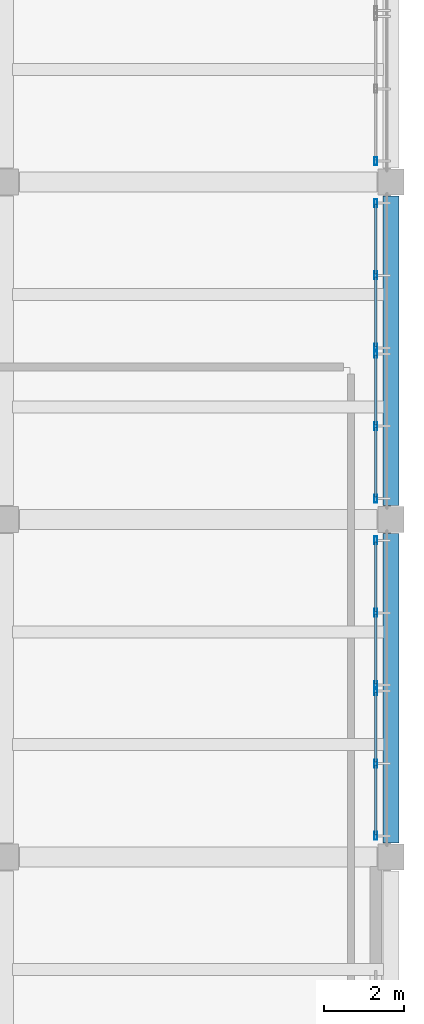
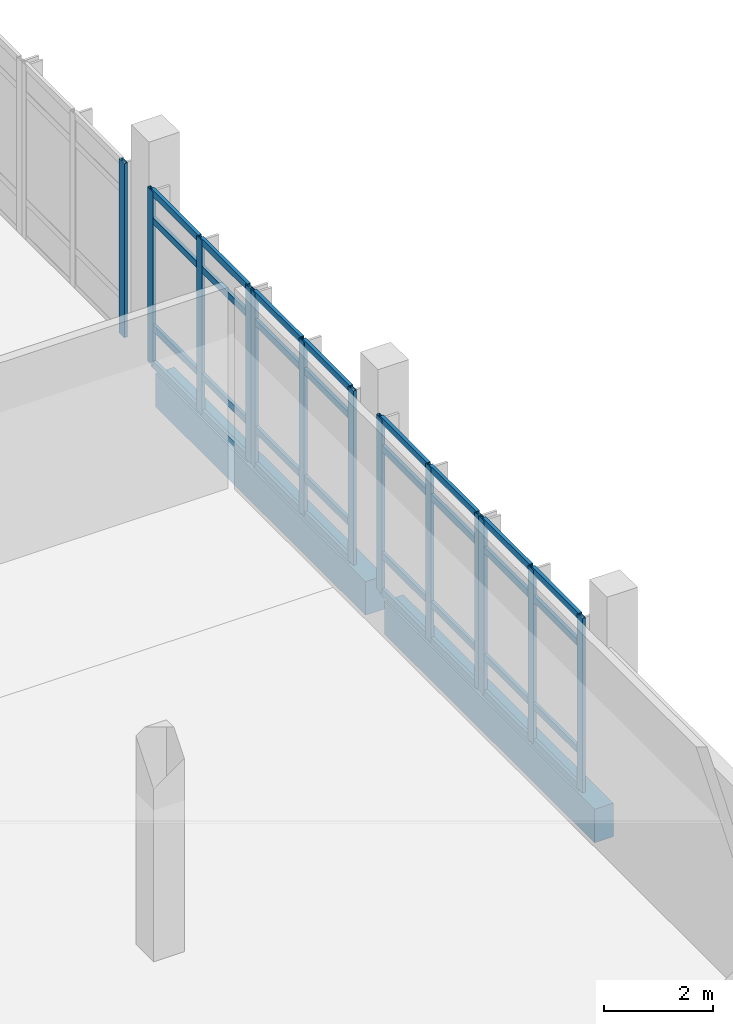
# One storey, part 21 of 63: 45 members, 2 beams, 5 elements without a shape of their own.
"""IFC4 building model written with IfcOpenShell, lengths in metres."""

from ifc_helpers import new_model, si_unit, derived_unit, direction, frame, origin, origin_2d, place, context, subcontext, project, spatial, rectangle, hollow_rectangle, extrude, material, layer, layer_set, material_profile, profile_set, type_object, element, aggregate, save


model = new_model("IFC4")

# Units and contexts
model_context = context("Model", 3, precision=1e-05, world=origin(), true_north=direction((0.0, 1.0)))
body_context = subcontext(model_context, "Body", "Model", "MODEL_VIEW")
ifc_project = project(units=[si_unit("LENGTHUNIT", "METRE"), si_unit("AREAUNIT", "SQUARE_METRE"), si_unit("VOLUMEUNIT", "CUBIC_METRE"), si_unit("PLANEANGLEUNIT", "RADIAN"), si_unit("MASSUNIT", "GRAM", prefix="KILO"), derived_unit("THERMALTRANSMITTANCEUNIT", [(si_unit("POWERUNIT", "WATT"), 1), (si_unit("LENGTHUNIT", "METRE"), -2), (si_unit("THERMODYNAMICTEMPERATUREUNIT", "KELVIN"), -1)])], contexts=[model_context])

# Site, building, storey
site_placement = place(None, origin())
site = spatial("IfcSite", under=ifc_project, at=site_placement, CompositionType="ELEMENT")
building_placement = place(site_placement, origin())
building = spatial("IfcBuilding", under=site, at=building_placement, Name="Elbkamm Science Centre", CompositionType="ELEMENT")
storey_placement = place(building_placement, frame((0.0, 0.0, 5.10009765625)))
storey = spatial("IfcBuildingStorey", under=building, at=storey_placement, Name="L01", CompositionType="ELEMENT", Elevation=5.10009765625)

# Beams
ifc_material_1 = material(Name="Concrete C40/50", Category="concrete")
ifc_material_profile_1 = material_profile(ifc_material_1, rectangle(XDim=0.39990234375, YDim=0.75, at=origin_2d()), Name="RC 400x750")
ifc_profile_set_1 = profile_set([ifc_material_profile_1], Name="Concrete C40/50")
beam_type = type_object("IfcBeamType", Name="BM-RC-400x750", PredefinedType="BEAM", material=ifc_profile_set_1)
for number, where, z_axis, x_axis, name in (
    (1, (160.800048828125, 33.949951171875, -0.775146484375), (0.0, 1.0, 0.0), (-1.0, 0.0, 0.0), "L01 Primary Y-Girder 074"),
    (2, (160.800048828125, 42.35009765625, -0.775146484375), (0.0, 1.0, 0.0), (-1.0, 0.0, 0.0), "L01 Primary Y-Girder 075"),
):
    element("IfcBeam", number, at=place(storey_placement, frame(where, z_axis=z_axis, x_axis=x_axis)), inside=storey, type_object=beam_type, Name=name, PredefinedType="BEAM", context=body_context, shape_type="SweptSolid", body=[
        extrude(rectangle(XDim=0.39990234375, YDim=0.75, at=origin_2d()), origin(), (0.0, 0.0, 1.0), 7.699951171875),
    ])

# Curtain wall, member
ifc_material_2 = material(Name="Powder-coated aluminium and triple low-E glazing", Category="aluminium")
ifc_layer = layer(ifc_material_2, 0.159912109375)
ifc_layer_set = layer_set([ifc_layer], Name="Powder-coated aluminium and triple low-E glazing")
curtain_wall_type = type_object("IfcCurtainWallType", Name="CW-UNIT-3680x3900", PredefinedType="USERDEFINED", material=ifc_layer_set)
curtain_wall_1_placement = place(storey_placement, origin())
curtain_wall_1 = element("IfcCurtainWall", 3, at=curtain_wall_1_placement, inside=storey, type_object=curtain_wall_type, Name="L01 Unitised Curtain Wall 170", ObjectType="UNITISED CURTAIN WALL", PredefinedType="USERDEFINED")
ifc_material_3 = material(Name="Powder-coated aluminium EN AW-6060", Category="aluminium")
ifc_material_profile_2 = material_profile(ifc_material_3, hollow_rectangle(XDim=0.070068359375, YDim=0.199951171875, WallThickness=0.00439453125, at=origin_2d()), Name="ALU M70x200")
ifc_profile_set_2 = profile_set([ifc_material_profile_2], Name="Powder-coated aluminium EN AW-6060")
member_type_1 = type_object("IfcMemberType", Name="CW-MUL-70x200", PredefinedType="MULLION", material=ifc_profile_set_2)
member_1_placement = place(storey_placement, frame((160.419921875, 50.92138671875, 0.0), z_axis=(0.0, 0.0, 1.0), x_axis=(1.0, 0.0, 0.0)))
member_1 = element("IfcMember", 4, at=member_1_placement, type_object=member_type_1, Name="CW-066 mullion 3", PredefinedType="MULLION", context=body_context, shape_type="SweptSolid", body=[
    extrude(hollow_rectangle(XDim=0.070068359375, YDim=0.199951171875, WallThickness=0.00439453125, at=origin_2d()), origin(), (0.0, 0.0, 1.0), 3.89990234375),
])
aggregate(curtain_wall_1, [member_1])

# Curtain wall, members
curtain_wall_2_placement = place(storey_placement, origin())
curtain_wall_2 = element("IfcCurtainWall", 5, at=curtain_wall_2_placement, inside=storey, type_object=curtain_wall_type, Name="L01 Unitised Curtain Wall 171", ObjectType="UNITISED CURTAIN WALL", PredefinedType="USERDEFINED")
member_2_placement = place(storey_placement, frame((160.419921875, 49.878662109375, 0.0), z_axis=(0.0, 0.0, 1.0), x_axis=(1.0, 0.0, 0.0)))
member_2 = element("IfcMember", 6, at=member_2_placement, type_object=member_type_1, Name="CW-066 mullion 1", PredefinedType="MULLION", context=body_context, shape_type="SweptSolid", body=[
    extrude(hollow_rectangle(XDim=0.070068359375, YDim=0.199951171875, WallThickness=0.00439453125, at=origin_2d()), origin(), (0.0, 0.0, 1.0), 3.89990234375),
])
member_3_placement = place(storey_placement, frame((160.419921875, 48.076904296875, 0.0), z_axis=(0.0, 0.0, 1.0), x_axis=(1.0, 0.0, 0.0)))
member_3 = element("IfcMember", 7, at=member_3_placement, type_object=member_type_1, Name="CW-066 mullion 2", PredefinedType="MULLION", context=body_context, shape_type="SweptSolid", body=[
    extrude(hollow_rectangle(XDim=0.070068359375, YDim=0.199951171875, WallThickness=0.00439453125, at=origin_2d()), origin(), (0.0, 0.0, 1.0), 3.89990234375),
])
member_4_placement = place(storey_placement, frame((160.419921875, 46.27490234375, 0.0), z_axis=(0.0, 0.0, 1.0), x_axis=(1.0, 0.0, 0.0)))
member_4 = element("IfcMember", 8, at=member_4_placement, type_object=member_type_1, Name="CW-066 mullion 3", PredefinedType="MULLION", context=body_context, shape_type="SweptSolid", body=[
    extrude(hollow_rectangle(XDim=0.070068359375, YDim=0.199951171875, WallThickness=0.00439453125, at=origin_2d()), origin(), (0.0, 0.0, 1.0), 3.89990234375),
])

curtain_wall_3_placement = place(storey_placement, origin())
curtain_wall_3 = element("IfcCurtainWall", 9, at=curtain_wall_3_placement, inside=storey, type_object=curtain_wall_type, Name="L01 Unitised Curtain Wall 172", ObjectType="UNITISED CURTAIN WALL", PredefinedType="USERDEFINED")
member_5_placement = place(storey_placement, frame((160.419921875, 46.125, 0.0), z_axis=(0.0, 0.0, 1.0), x_axis=(1.0, 0.0, 0.0)))
member_5 = element("IfcMember", 10, at=member_5_placement, type_object=member_type_1, Name="CW-066 mullion 1", PredefinedType="MULLION", context=body_context, shape_type="SweptSolid", body=[
    extrude(hollow_rectangle(XDim=0.070068359375, YDim=0.199951171875, WallThickness=0.00439453125, at=origin_2d()), origin(), (0.0, 0.0, 1.0), 3.89990234375),
])
member_6_placement = place(storey_placement, frame((160.419921875, 44.3232421875, 0.0), z_axis=(0.0, 0.0, 1.0), x_axis=(1.0, 0.0, 0.0)))
member_6 = element("IfcMember", 11, at=member_6_placement, type_object=member_type_1, Name="CW-066 mullion 2", PredefinedType="MULLION", context=body_context, shape_type="SweptSolid", body=[
    extrude(hollow_rectangle(XDim=0.070068359375, YDim=0.199951171875, WallThickness=0.00439453125, at=origin_2d()), origin(), (0.0, 0.0, 1.0), 3.89990234375),
])
member_7_placement = place(storey_placement, frame((160.419921875, 42.521240234375, 0.0), z_axis=(0.0, 0.0, 1.0), x_axis=(1.0, 0.0, 0.0)))
member_7 = element("IfcMember", 12, at=member_7_placement, type_object=member_type_1, Name="CW-066 mullion 3", PredefinedType="MULLION", context=body_context, shape_type="SweptSolid", body=[
    extrude(hollow_rectangle(XDim=0.070068359375, YDim=0.199951171875, WallThickness=0.00439453125, at=origin_2d()), origin(), (0.0, 0.0, 1.0), 3.89990234375),
])

curtain_wall_4_placement = place(storey_placement, origin())
curtain_wall_4 = element("IfcCurtainWall", 13, at=curtain_wall_4_placement, inside=storey, type_object=curtain_wall_type, Name="L01 Unitised Curtain Wall 173", ObjectType="UNITISED CURTAIN WALL", PredefinedType="USERDEFINED")
member_8_placement = place(storey_placement, frame((160.419921875, 41.478759765625, 0.0), z_axis=(0.0, 0.0, 1.0), x_axis=(1.0, 0.0, 0.0)))
member_8 = element("IfcMember", 14, at=member_8_placement, type_object=member_type_1, Name="CW-066 mullion 1", PredefinedType="MULLION", context=body_context, shape_type="SweptSolid", body=[
    extrude(hollow_rectangle(XDim=0.070068359375, YDim=0.199951171875, WallThickness=0.00439453125, at=origin_2d()), origin(), (0.0, 0.0, 1.0), 3.89990234375),
])
member_9_placement = place(storey_placement, frame((160.419921875, 39.6767578125, 0.0), z_axis=(0.0, 0.0, 1.0), x_axis=(1.0, 0.0, 0.0)))
member_9 = element("IfcMember", 15, at=member_9_placement, type_object=member_type_1, Name="CW-066 mullion 2", PredefinedType="MULLION", context=body_context, shape_type="SweptSolid", body=[
    extrude(hollow_rectangle(XDim=0.070068359375, YDim=0.199951171875, WallThickness=0.00439453125, at=origin_2d()), origin(), (0.0, 0.0, 1.0), 3.89990234375),
])
member_10_placement = place(storey_placement, frame((160.419921875, 37.875, 0.0), z_axis=(0.0, 0.0, 1.0), x_axis=(1.0, 0.0, 0.0)))
member_10 = element("IfcMember", 16, at=member_10_placement, type_object=member_type_1, Name="CW-066 mullion 3", PredefinedType="MULLION", context=body_context, shape_type="SweptSolid", body=[
    extrude(hollow_rectangle(XDim=0.070068359375, YDim=0.199951171875, WallThickness=0.00439453125, at=origin_2d()), origin(), (0.0, 0.0, 1.0), 3.89990234375),
])

curtain_wall_5_placement = place(storey_placement, origin())
curtain_wall_5 = element("IfcCurtainWall", 17, at=curtain_wall_5_placement, inside=storey, type_object=curtain_wall_type, Name="L01 Unitised Curtain Wall 174", ObjectType="UNITISED CURTAIN WALL", PredefinedType="USERDEFINED")
member_11_placement = place(storey_placement, frame((160.419921875, 37.72509765625, 0.0), z_axis=(0.0, 0.0, 1.0), x_axis=(1.0, 0.0, 0.0)))
member_11 = element("IfcMember", 18, at=member_11_placement, type_object=member_type_1, Name="CW-066 mullion 1", PredefinedType="MULLION", context=body_context, shape_type="SweptSolid", body=[
    extrude(hollow_rectangle(XDim=0.070068359375, YDim=0.199951171875, WallThickness=0.00439453125, at=origin_2d()), origin(), (0.0, 0.0, 1.0), 3.89990234375),
])
member_12_placement = place(storey_placement, frame((160.419921875, 35.923095703125, 0.0), z_axis=(0.0, 0.0, 1.0), x_axis=(1.0, 0.0, 0.0)))
member_12 = element("IfcMember", 19, at=member_12_placement, type_object=member_type_1, Name="CW-066 mullion 2", PredefinedType="MULLION", context=body_context, shape_type="SweptSolid", body=[
    extrude(hollow_rectangle(XDim=0.070068359375, YDim=0.199951171875, WallThickness=0.00439453125, at=origin_2d()), origin(), (0.0, 0.0, 1.0), 3.89990234375),
])
member_13_placement = place(storey_placement, frame((160.419921875, 34.121337890625, 0.0), z_axis=(0.0, 0.0, 1.0), x_axis=(1.0, 0.0, 0.0)))
member_13 = element("IfcMember", 20, at=member_13_placement, type_object=member_type_1, Name="CW-066 mullion 3", PredefinedType="MULLION", context=body_context, shape_type="SweptSolid", body=[
    extrude(hollow_rectangle(XDim=0.070068359375, YDim=0.199951171875, WallThickness=0.00439453125, at=origin_2d()), origin(), (0.0, 0.0, 1.0), 3.89990234375),
])

# Member
ifc_material_profile_3 = material_profile(ifc_material_3, hollow_rectangle(XDim=0.070068359375, YDim=0.14990234375, WallThickness=0.00390625, at=origin_2d()), Name="ALU T70x150")
ifc_profile_set_3 = profile_set([ifc_material_profile_3], Name="Powder-coated aluminium EN AW-6060")
member_type_2 = type_object("IfcMemberType", Name="CW-TRN-70x150", PredefinedType="USERDEFINED", material=ifc_profile_set_3)
member_14_placement = place(storey_placement, frame((160.419921875, 49.84375, 0.034912109375), z_axis=(0.0, -1.0, 0.0), x_axis=(1.0, 0.0, 0.0)))
member_14 = element("IfcMember", 21, at=member_14_placement, type_object=member_type_2, Name="CW-066 transom 1.1", ObjectType="TRANSOM", PredefinedType="USERDEFINED", context=body_context, shape_type="SweptSolid", body=[
    extrude(hollow_rectangle(XDim=0.070068359375, YDim=0.14990234375, WallThickness=0.00390625, at=origin_2d()), origin(), (0.0, 0.0, 1.0), 1.73193359375),
])

member_15_placement = place(storey_placement, frame((160.419921875, 49.84375, 0.849853515625), z_axis=(0.0, -1.0, 0.0), x_axis=(1.0, 0.0, 0.0)))
member_15 = element("IfcMember", 22, at=member_15_placement, type_object=member_type_2, Name="CW-066 transom 1.2", ObjectType="TRANSOM", PredefinedType="USERDEFINED", context=body_context, shape_type="SweptSolid", body=[
    extrude(hollow_rectangle(XDim=0.070068359375, YDim=0.14990234375, WallThickness=0.00390625, at=origin_2d()), origin(), (0.0, 0.0, 1.0), 1.73193359375),
])

member_16_placement = place(storey_placement, frame((160.419921875, 49.84375, 3.25), z_axis=(0.0, -1.0, 0.0), x_axis=(1.0, 0.0, 0.0)))
member_16 = element("IfcMember", 23, at=member_16_placement, type_object=member_type_2, Name="CW-066 transom 1.3", ObjectType="TRANSOM", PredefinedType="USERDEFINED", context=body_context, shape_type="SweptSolid", body=[
    extrude(hollow_rectangle(XDim=0.070068359375, YDim=0.14990234375, WallThickness=0.00390625, at=origin_2d()), origin(), (0.0, 0.0, 1.0), 1.73193359375),
])

member_17_placement = place(storey_placement, frame((160.419921875, 49.84375, 3.864990234375), z_axis=(0.0, -1.0, 0.0), x_axis=(1.0, 0.0, 0.0)))
member_17 = element("IfcMember", 24, at=member_17_placement, type_object=member_type_2, Name="CW-066 transom 1.4", ObjectType="TRANSOM", PredefinedType="USERDEFINED", context=body_context, shape_type="SweptSolid", body=[
    extrude(hollow_rectangle(XDim=0.070068359375, YDim=0.14990234375, WallThickness=0.00390625, at=origin_2d()), origin(), (0.0, 0.0, 1.0), 1.73193359375),
])

member_18_placement = place(storey_placement, frame((160.419921875, 48.041748046875, 0.034912109375), z_axis=(0.0, -1.0, 0.0), x_axis=(1.0, 0.0, 0.0)))
member_18 = element("IfcMember", 25, at=member_18_placement, type_object=member_type_2, Name="CW-066 transom 2.1", ObjectType="TRANSOM", PredefinedType="USERDEFINED", context=body_context, shape_type="SweptSolid", body=[
    extrude(hollow_rectangle(XDim=0.070068359375, YDim=0.14990234375, WallThickness=0.00390625, at=origin_2d()), origin(), (0.0, 0.0, 1.0), 1.731689453125),
])

member_19_placement = place(storey_placement, frame((160.419921875, 48.041748046875, 0.849853515625), z_axis=(0.0, -1.0, 0.0), x_axis=(1.0, 0.0, 0.0)))
member_19 = element("IfcMember", 26, at=member_19_placement, type_object=member_type_2, Name="CW-066 transom 2.2", ObjectType="TRANSOM", PredefinedType="USERDEFINED", context=body_context, shape_type="SweptSolid", body=[
    extrude(hollow_rectangle(XDim=0.070068359375, YDim=0.14990234375, WallThickness=0.00390625, at=origin_2d()), origin(), (0.0, 0.0, 1.0), 1.731689453125),
])

member_20_placement = place(storey_placement, frame((160.419921875, 48.041748046875, 3.25), z_axis=(0.0, -1.0, 0.0), x_axis=(1.0, 0.0, 0.0)))
member_20 = element("IfcMember", 27, at=member_20_placement, type_object=member_type_2, Name="CW-066 transom 2.3", ObjectType="TRANSOM", PredefinedType="USERDEFINED", context=body_context, shape_type="SweptSolid", body=[
    extrude(hollow_rectangle(XDim=0.070068359375, YDim=0.14990234375, WallThickness=0.00390625, at=origin_2d()), origin(), (0.0, 0.0, 1.0), 1.731689453125),
])

member_21_placement = place(storey_placement, frame((160.419921875, 48.041748046875, 3.864990234375), z_axis=(0.0, -1.0, 0.0), x_axis=(1.0, 0.0, 0.0)))
member_21 = element("IfcMember", 28, at=member_21_placement, type_object=member_type_2, Name="CW-066 transom 2.4", ObjectType="TRANSOM", PredefinedType="USERDEFINED", context=body_context, shape_type="SweptSolid", body=[
    extrude(hollow_rectangle(XDim=0.070068359375, YDim=0.14990234375, WallThickness=0.00390625, at=origin_2d()), origin(), (0.0, 0.0, 1.0), 1.731689453125),
])

aggregate(curtain_wall_2, [member_2, member_3, member_4, member_14, member_15, member_16, member_17, member_18, member_19, member_20, member_21])

member_22_placement = place(storey_placement, frame((160.419921875, 46.090087890625, 0.034912109375), z_axis=(0.0, -1.0, 0.0), x_axis=(1.0, 0.0, 0.0)))
member_22 = element("IfcMember", 29, at=member_22_placement, type_object=member_type_2, Name="CW-066 transom 1.1", ObjectType="TRANSOM", PredefinedType="USERDEFINED", context=body_context, shape_type="SweptSolid", body=[
    extrude(hollow_rectangle(XDim=0.070068359375, YDim=0.14990234375, WallThickness=0.00390625, at=origin_2d()), origin(), (0.0, 0.0, 1.0), 1.73193359375),
])

member_23_placement = place(storey_placement, frame((160.419921875, 46.090087890625, 0.849853515625), z_axis=(0.0, -1.0, 0.0), x_axis=(1.0, 0.0, 0.0)))
member_23 = element("IfcMember", 30, at=member_23_placement, type_object=member_type_2, Name="CW-066 transom 1.2", ObjectType="TRANSOM", PredefinedType="USERDEFINED", context=body_context, shape_type="SweptSolid", body=[
    extrude(hollow_rectangle(XDim=0.070068359375, YDim=0.14990234375, WallThickness=0.00390625, at=origin_2d()), origin(), (0.0, 0.0, 1.0), 1.73193359375),
])

member_24_placement = place(storey_placement, frame((160.419921875, 46.090087890625, 3.25), z_axis=(0.0, -1.0, 0.0), x_axis=(1.0, 0.0, 0.0)))
member_24 = element("IfcMember", 31, at=member_24_placement, type_object=member_type_2, Name="CW-066 transom 1.3", ObjectType="TRANSOM", PredefinedType="USERDEFINED", context=body_context, shape_type="SweptSolid", body=[
    extrude(hollow_rectangle(XDim=0.070068359375, YDim=0.14990234375, WallThickness=0.00390625, at=origin_2d()), origin(), (0.0, 0.0, 1.0), 1.73193359375),
])

member_25_placement = place(storey_placement, frame((160.419921875, 46.090087890625, 3.864990234375), z_axis=(0.0, -1.0, 0.0), x_axis=(1.0, 0.0, 0.0)))
member_25 = element("IfcMember", 32, at=member_25_placement, type_object=member_type_2, Name="CW-066 transom 1.4", ObjectType="TRANSOM", PredefinedType="USERDEFINED", context=body_context, shape_type="SweptSolid", body=[
    extrude(hollow_rectangle(XDim=0.070068359375, YDim=0.14990234375, WallThickness=0.00390625, at=origin_2d()), origin(), (0.0, 0.0, 1.0), 1.73193359375),
])

member_26_placement = place(storey_placement, frame((160.419921875, 44.2880859375, 0.034912109375), z_axis=(0.0, -1.0, 0.0), x_axis=(1.0, 0.0, 0.0)))
member_26 = element("IfcMember", 33, at=member_26_placement, type_object=member_type_2, Name="CW-066 transom 2.1", ObjectType="TRANSOM", PredefinedType="USERDEFINED", context=body_context, shape_type="SweptSolid", body=[
    extrude(hollow_rectangle(XDim=0.070068359375, YDim=0.14990234375, WallThickness=0.00390625, at=origin_2d()), origin(), (0.0, 0.0, 1.0), 1.731689453125),
])

member_27_placement = place(storey_placement, frame((160.419921875, 44.2880859375, 0.849853515625), z_axis=(0.0, -1.0, 0.0), x_axis=(1.0, 0.0, 0.0)))
member_27 = element("IfcMember", 34, at=member_27_placement, type_object=member_type_2, Name="CW-066 transom 2.2", ObjectType="TRANSOM", PredefinedType="USERDEFINED", context=body_context, shape_type="SweptSolid", body=[
    extrude(hollow_rectangle(XDim=0.070068359375, YDim=0.14990234375, WallThickness=0.00390625, at=origin_2d()), origin(), (0.0, 0.0, 1.0), 1.731689453125),
])

member_28_placement = place(storey_placement, frame((160.419921875, 44.2880859375, 3.25), z_axis=(0.0, -1.0, 0.0), x_axis=(1.0, 0.0, 0.0)))
member_28 = element("IfcMember", 35, at=member_28_placement, type_object=member_type_2, Name="CW-066 transom 2.3", ObjectType="TRANSOM", PredefinedType="USERDEFINED", context=body_context, shape_type="SweptSolid", body=[
    extrude(hollow_rectangle(XDim=0.070068359375, YDim=0.14990234375, WallThickness=0.00390625, at=origin_2d()), origin(), (0.0, 0.0, 1.0), 1.731689453125),
])

member_29_placement = place(storey_placement, frame((160.419921875, 44.2880859375, 3.864990234375), z_axis=(0.0, -1.0, 0.0), x_axis=(1.0, 0.0, 0.0)))
member_29 = element("IfcMember", 36, at=member_29_placement, type_object=member_type_2, Name="CW-066 transom 2.4", ObjectType="TRANSOM", PredefinedType="USERDEFINED", context=body_context, shape_type="SweptSolid", body=[
    extrude(hollow_rectangle(XDim=0.070068359375, YDim=0.14990234375, WallThickness=0.00390625, at=origin_2d()), origin(), (0.0, 0.0, 1.0), 1.731689453125),
])

aggregate(curtain_wall_3, [member_5, member_6, member_7, member_22, member_23, member_24, member_25, member_26, member_27, member_28, member_29])

member_30_placement = place(storey_placement, frame((160.419921875, 41.443603515625, 0.034912109375), z_axis=(0.0, -1.0, 0.0), x_axis=(1.0, 0.0, 0.0)))
member_30 = element("IfcMember", 37, at=member_30_placement, type_object=member_type_2, Name="CW-066 transom 1.1", ObjectType="TRANSOM", PredefinedType="USERDEFINED", context=body_context, shape_type="SweptSolid", body=[
    extrude(hollow_rectangle(XDim=0.070068359375, YDim=0.14990234375, WallThickness=0.00390625, at=origin_2d()), origin(), (0.0, 0.0, 1.0), 1.731689453125),
])

member_31_placement = place(storey_placement, frame((160.419921875, 41.443603515625, 0.849853515625), z_axis=(0.0, -1.0, 0.0), x_axis=(1.0, 0.0, 0.0)))
member_31 = element("IfcMember", 38, at=member_31_placement, type_object=member_type_2, Name="CW-066 transom 1.2", ObjectType="TRANSOM", PredefinedType="USERDEFINED", context=body_context, shape_type="SweptSolid", body=[
    extrude(hollow_rectangle(XDim=0.070068359375, YDim=0.14990234375, WallThickness=0.00390625, at=origin_2d()), origin(), (0.0, 0.0, 1.0), 1.731689453125),
])

member_32_placement = place(storey_placement, frame((160.419921875, 41.443603515625, 3.25), z_axis=(0.0, -1.0, 0.0), x_axis=(1.0, 0.0, 0.0)))
member_32 = element("IfcMember", 39, at=member_32_placement, type_object=member_type_2, Name="CW-066 transom 1.3", ObjectType="TRANSOM", PredefinedType="USERDEFINED", context=body_context, shape_type="SweptSolid", body=[
    extrude(hollow_rectangle(XDim=0.070068359375, YDim=0.14990234375, WallThickness=0.00390625, at=origin_2d()), origin(), (0.0, 0.0, 1.0), 1.731689453125),
])

member_33_placement = place(storey_placement, frame((160.419921875, 41.443603515625, 3.864990234375), z_axis=(0.0, -1.0, 0.0), x_axis=(1.0, 0.0, 0.0)))
member_33 = element("IfcMember", 40, at=member_33_placement, type_object=member_type_2, Name="CW-066 transom 1.4", ObjectType="TRANSOM", PredefinedType="USERDEFINED", context=body_context, shape_type="SweptSolid", body=[
    extrude(hollow_rectangle(XDim=0.070068359375, YDim=0.14990234375, WallThickness=0.00390625, at=origin_2d()), origin(), (0.0, 0.0, 1.0), 1.731689453125),
])

member_34_placement = place(storey_placement, frame((160.419921875, 39.641845703125, 0.034912109375), z_axis=(0.0, -1.0, 0.0), x_axis=(1.0, 0.0, 0.0)))
member_34 = element("IfcMember", 41, at=member_34_placement, type_object=member_type_2, Name="CW-066 transom 2.1", ObjectType="TRANSOM", PredefinedType="USERDEFINED", context=body_context, shape_type="SweptSolid", body=[
    extrude(hollow_rectangle(XDim=0.070068359375, YDim=0.14990234375, WallThickness=0.00390625, at=origin_2d()), origin(), (0.0, 0.0, 1.0), 1.73193359375),
])

member_35_placement = place(storey_placement, frame((160.419921875, 39.641845703125, 0.849853515625), z_axis=(0.0, -1.0, 0.0), x_axis=(1.0, 0.0, 0.0)))
member_35 = element("IfcMember", 42, at=member_35_placement, type_object=member_type_2, Name="CW-066 transom 2.2", ObjectType="TRANSOM", PredefinedType="USERDEFINED", context=body_context, shape_type="SweptSolid", body=[
    extrude(hollow_rectangle(XDim=0.070068359375, YDim=0.14990234375, WallThickness=0.00390625, at=origin_2d()), origin(), (0.0, 0.0, 1.0), 1.73193359375),
])

member_36_placement = place(storey_placement, frame((160.419921875, 39.641845703125, 3.25), z_axis=(0.0, -1.0, 0.0), x_axis=(1.0, 0.0, 0.0)))
member_36 = element("IfcMember", 43, at=member_36_placement, type_object=member_type_2, Name="CW-066 transom 2.3", ObjectType="TRANSOM", PredefinedType="USERDEFINED", context=body_context, shape_type="SweptSolid", body=[
    extrude(hollow_rectangle(XDim=0.070068359375, YDim=0.14990234375, WallThickness=0.00390625, at=origin_2d()), origin(), (0.0, 0.0, 1.0), 1.73193359375),
])

member_37_placement = place(storey_placement, frame((160.419921875, 39.641845703125, 3.864990234375), z_axis=(0.0, -1.0, 0.0), x_axis=(1.0, 0.0, 0.0)))
member_37 = element("IfcMember", 44, at=member_37_placement, type_object=member_type_2, Name="CW-066 transom 2.4", ObjectType="TRANSOM", PredefinedType="USERDEFINED", context=body_context, shape_type="SweptSolid", body=[
    extrude(hollow_rectangle(XDim=0.070068359375, YDim=0.14990234375, WallThickness=0.00390625, at=origin_2d()), origin(), (0.0, 0.0, 1.0), 1.73193359375),
])

aggregate(curtain_wall_4, [member_8, member_9, member_10, member_30, member_31, member_32, member_33, member_34, member_35, member_36, member_37])

member_38_placement = place(storey_placement, frame((160.419921875, 37.68994140625, 0.034912109375), z_axis=(0.0, -1.0, 0.0), x_axis=(1.0, 0.0, 0.0)))
member_38 = element("IfcMember", 45, at=member_38_placement, type_object=member_type_2, Name="CW-066 transom 1.1", ObjectType="TRANSOM", PredefinedType="USERDEFINED", context=body_context, shape_type="SweptSolid", body=[
    extrude(hollow_rectangle(XDim=0.070068359375, YDim=0.14990234375, WallThickness=0.00390625, at=origin_2d()), origin(), (0.0, 0.0, 1.0), 1.731689453125),
])

member_39_placement = place(storey_placement, frame((160.419921875, 37.68994140625, 0.849853515625), z_axis=(0.0, -1.0, 0.0), x_axis=(1.0, 0.0, 0.0)))
member_39 = element("IfcMember", 46, at=member_39_placement, type_object=member_type_2, Name="CW-066 transom 1.2", ObjectType="TRANSOM", PredefinedType="USERDEFINED", context=body_context, shape_type="SweptSolid", body=[
    extrude(hollow_rectangle(XDim=0.070068359375, YDim=0.14990234375, WallThickness=0.00390625, at=origin_2d()), origin(), (0.0, 0.0, 1.0), 1.731689453125),
])

member_40_placement = place(storey_placement, frame((160.419921875, 37.68994140625, 3.25), z_axis=(0.0, -1.0, 0.0), x_axis=(1.0, 0.0, 0.0)))
member_40 = element("IfcMember", 47, at=member_40_placement, type_object=member_type_2, Name="CW-066 transom 1.3", ObjectType="TRANSOM", PredefinedType="USERDEFINED", context=body_context, shape_type="SweptSolid", body=[
    extrude(hollow_rectangle(XDim=0.070068359375, YDim=0.14990234375, WallThickness=0.00390625, at=origin_2d()), origin(), (0.0, 0.0, 1.0), 1.731689453125),
])

member_41_placement = place(storey_placement, frame((160.419921875, 37.68994140625, 3.864990234375), z_axis=(0.0, -1.0, 0.0), x_axis=(1.0, 0.0, 0.0)))
member_41 = element("IfcMember", 48, at=member_41_placement, type_object=member_type_2, Name="CW-066 transom 1.4", ObjectType="TRANSOM", PredefinedType="USERDEFINED", context=body_context, shape_type="SweptSolid", body=[
    extrude(hollow_rectangle(XDim=0.070068359375, YDim=0.14990234375, WallThickness=0.00390625, at=origin_2d()), origin(), (0.0, 0.0, 1.0), 1.731689453125),
])

member_42_placement = place(storey_placement, frame((160.419921875, 35.88818359375, 0.034912109375), z_axis=(0.0, -1.0, 0.0), x_axis=(1.0, 0.0, 0.0)))
member_42 = element("IfcMember", 49, at=member_42_placement, type_object=member_type_2, Name="CW-066 transom 2.1", ObjectType="TRANSOM", PredefinedType="USERDEFINED", context=body_context, shape_type="SweptSolid", body=[
    extrude(hollow_rectangle(XDim=0.070068359375, YDim=0.14990234375, WallThickness=0.00390625, at=origin_2d()), origin(), (0.0, 0.0, 1.0), 1.73193359375),
])

member_43_placement = place(storey_placement, frame((160.419921875, 35.88818359375, 0.849853515625), z_axis=(0.0, -1.0, 0.0), x_axis=(1.0, 0.0, 0.0)))
member_43 = element("IfcMember", 50, at=member_43_placement, type_object=member_type_2, Name="CW-066 transom 2.2", ObjectType="TRANSOM", PredefinedType="USERDEFINED", context=body_context, shape_type="SweptSolid", body=[
    extrude(hollow_rectangle(XDim=0.070068359375, YDim=0.14990234375, WallThickness=0.00390625, at=origin_2d()), origin(), (0.0, 0.0, 1.0), 1.73193359375),
])

member_44_placement = place(storey_placement, frame((160.419921875, 35.88818359375, 3.25), z_axis=(0.0, -1.0, 0.0), x_axis=(1.0, 0.0, 0.0)))
member_44 = element("IfcMember", 51, at=member_44_placement, type_object=member_type_2, Name="CW-066 transom 2.3", ObjectType="TRANSOM", PredefinedType="USERDEFINED", context=body_context, shape_type="SweptSolid", body=[
    extrude(hollow_rectangle(XDim=0.070068359375, YDim=0.14990234375, WallThickness=0.00390625, at=origin_2d()), origin(), (0.0, 0.0, 1.0), 1.73193359375),
])

member_45_placement = place(storey_placement, frame((160.419921875, 35.88818359375, 3.864990234375), z_axis=(0.0, -1.0, 0.0), x_axis=(1.0, 0.0, 0.0)))
member_45 = element("IfcMember", 52, at=member_45_placement, type_object=member_type_2, Name="CW-066 transom 2.4", ObjectType="TRANSOM", PredefinedType="USERDEFINED", context=body_context, shape_type="SweptSolid", body=[
    extrude(hollow_rectangle(XDim=0.070068359375, YDim=0.14990234375, WallThickness=0.00390625, at=origin_2d()), origin(), (0.0, 0.0, 1.0), 1.73193359375),
])

aggregate(curtain_wall_5, [member_11, member_12, member_13, member_38, member_39, member_40, member_41, member_42, member_43, member_44, member_45])

save(model, "model.ifc")
